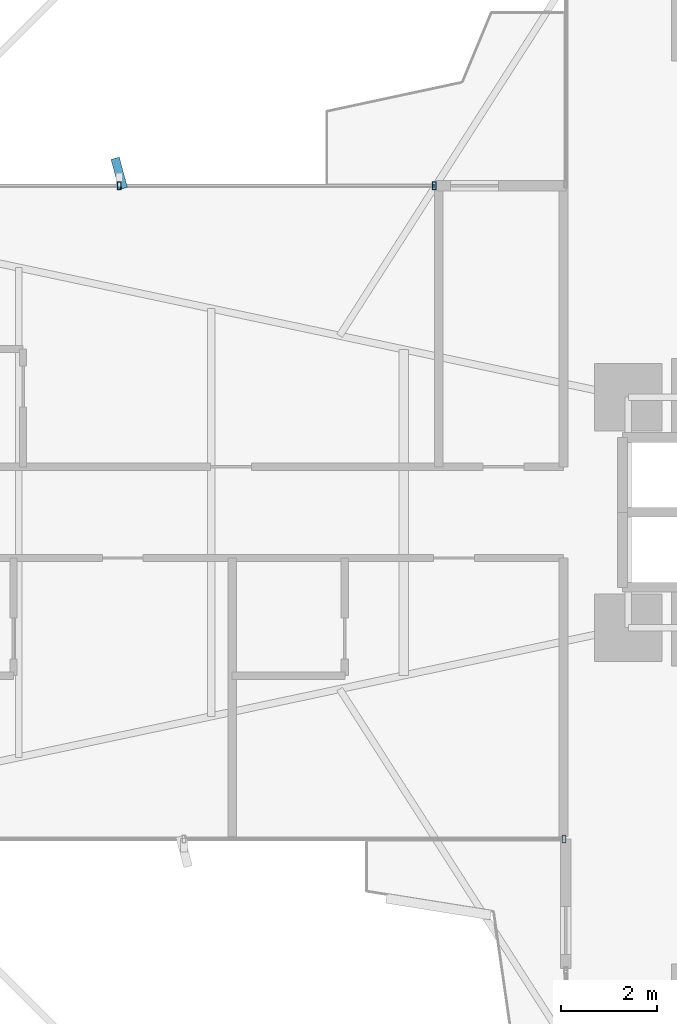
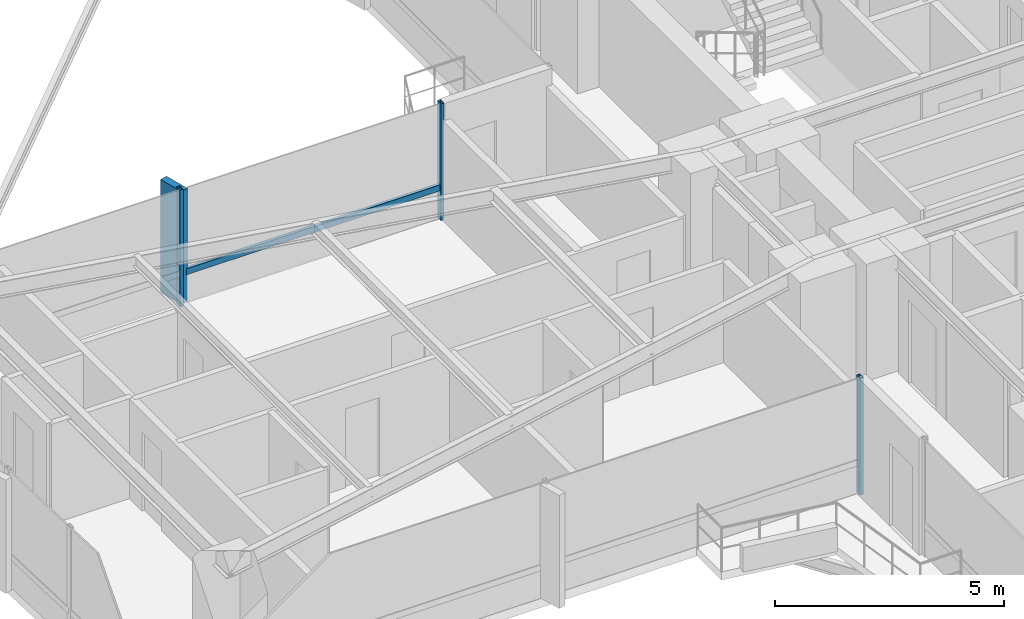
# One storey, part 10 of 25: 5 members, 2 elements without a shape of their own.
"""IFC4 building model written with IfcOpenShell, lengths in metres."""

from ifc_helpers import new_model, si_unit, direction, frame, origin, origin_2d, place, context, subcontext, project, spatial, rectangle, hollow_rectangle, extrude, source, transform, mapped, material, material_profile, profile_set, type_object, element, aggregate, save


model = new_model("IFC4")

# Units and contexts
model_context = context("Model", 3, precision=1e-05, world=origin(), true_north=direction((0.0, 1.0)))
body_context = subcontext(model_context, "Body", "Model", "MODEL_VIEW")
ifc_project = project(units=[si_unit("LENGTHUNIT", "METRE"), si_unit("AREAUNIT", "SQUARE_METRE"), si_unit("VOLUMEUNIT", "CUBIC_METRE"), si_unit("PLANEANGLEUNIT", "RADIAN"), si_unit("MASSUNIT", "GRAM", prefix="KILO")], contexts=[model_context])

# Site, building, storey
site_placement = place(None, origin())
site = spatial("IfcSite", under=ifc_project, at=site_placement, CompositionType="ELEMENT")
building_placement = place(site_placement, origin())
building = spatial("IfcBuilding", under=site, at=building_placement, Name="Sahyath Konkavel Grand Hotel", CompositionType="ELEMENT")
storey_placement = place(building_placement, frame((0.0, 0.0, 67.800048828125)))
storey = spatial("IfcBuildingStorey", under=building, at=storey_placement, Name="L18", CompositionType="ELEMENT", Elevation=67.800048828125)

# Curtain wall, members
ifc_material_1 = material(Name="Anodised Bronze Aluminium & Low-E Glazing", Category="aluminium")
curtain_wall_type = type_object("IfcCurtainWallType", Name="CW-ZONE1", PredefinedType="NOTDEFINED", material=ifc_material_1)
curtain_wall_1_placement = place(storey_placement, origin())
curtain_wall_1 = element("IfcCurtainWall", 1, at=curtain_wall_1_placement, inside=storey, type_object=curtain_wall_type, Name="L18 Unitised Curtain Wall F16", PredefinedType="NOTDEFINED")
ifc_material_2 = material(Name="Anodised Bronze Aluminium", Category="aluminium")
ifc_material_profile_1 = material_profile(ifc_material_2, hollow_rectangle(XDim=0.080078125, YDim=0.159912109375, WallThickness=0.006103515625, at=origin_2d()), Name="RHS 160x80x6")
ifc_profile_set_1 = profile_set([ifc_material_profile_1], Name="Anodised Bronze Aluminium")
member_type_1 = type_object("IfcMemberType", Name="CW-MUL-160", PredefinedType="MULLION", material=ifc_profile_set_1)
shared_shape_1 = source(origin(), body_context, "Body", "SweptSolid", [
    extrude(hollow_rectangle(XDim=0.080078125, YDim=0.159912109375, WallThickness=0.006103515625, at=origin_2d()), origin(), (0.0, 0.0, 1.0), 3.10986328125),
])
member_1_placement = place(storey_placement, frame((-9.5400390625, 6.800048828125, 0.0), z_axis=(0.0, 0.0, 1.0), x_axis=(1.0, 0.0, 0.0)))
member_1 = element("IfcMember", 2, at=member_1_placement, type_object=member_type_1, Name="L18 Curtain Wall Mullion F16-0", PredefinedType="MULLION", context=body_context, shape_type="MappedRepresentation", body=[
    mapped(shared_shape_1, transform((0.0, 0.0, 0.0), scale=1.0)),
])
member_2_placement = place(storey_placement, frame((-16.10009765625, 6.800048828125, 0.0), z_axis=(0.0, 0.0, 1.0), x_axis=(1.0, 0.0, 0.0)))
member_2 = element("IfcMember", 3, at=member_2_placement, type_object=member_type_1, Name="L18 Curtain Wall Mullion F16-1", PredefinedType="MULLION", context=body_context, shape_type="MappedRepresentation", body=[
    mapped(shared_shape_1, transform((0.0, 0.0, 0.0), scale=1.0)),
])

# Curtain wall, member
curtain_wall_2_placement = place(storey_placement, origin())
curtain_wall_2 = element("IfcCurtainWall", 4, at=curtain_wall_2_placement, inside=storey, type_object=curtain_wall_type, Name="L18 Unitised Curtain Wall F23", PredefinedType="NOTDEFINED")
member_3_placement = place(storey_placement, frame((-6.840087890625, -6.800048828125, 0.0), z_axis=(0.0, 0.0, 1.0), x_axis=(1.0, 0.0, 0.0)))
member_3 = element("IfcMember", 5, at=member_3_placement, type_object=member_type_1, Name="L18 Curtain Wall Mullion F23-2", PredefinedType="MULLION", context=body_context, shape_type="MappedRepresentation", body=[
    mapped(shared_shape_1, transform((0.0, 0.0, 0.0), scale=1.0)),
])
aggregate(curtain_wall_2, [member_3])

# Member
ifc_material_3 = material(Name="Warm Buff Sandstone Cladding on Concrete C50/60", Category="masonry")
ifc_material_profile_2 = material_profile(ifc_material_3, rectangle(XDim=0.179931640625, YDim=0.64990234375, at=origin_2d()), Name="FIN 180x650")
ifc_profile_set_2 = profile_set([ifc_material_profile_2], Name="Warm Buff Sandstone Cladding on Concrete C50/60")
member_type_2 = type_object("IfcMemberType", Name="FIN-SANDSTONE-650", PredefinedType="MULLION", material=ifc_profile_set_2)
shared_shape_2 = source(origin(), body_context, "Body", "SweptSolid", [
    extrude(rectangle(XDim=0.179931640625, YDim=0.64990234375, at=origin_2d()), origin(), (0.0, 0.0, 1.0), 3.010009765625),
])
member_4_placement = place(storey_placement, frame((-16.10009765625, 7.06005859375, 0.050048828125), z_axis=(0.0, 0.0, 1.0), x_axis=(0.965744901133, 0.259493325415, 0.0)))
member_4 = element("IfcMember", 6, at=member_4_placement, type_object=member_type_2, Name="L18 Sandstone Vertical Solar Fin FIN F16-1", PredefinedType="MULLION", context=body_context, shape_type="MappedRepresentation", body=[
    mapped(shared_shape_2, transform((0.0, 0.0, 0.0), scale=1.0)),
])

ifc_material_profile_3 = material_profile(ifc_material_2, hollow_rectangle(XDim=0.080078125, YDim=0.159912109375, WallThickness=0.006103515625, at=origin_2d()), Name="RHS 160x80x6")
ifc_profile_set_3 = profile_set([ifc_material_profile_3], Name="Anodised Bronze Aluminium")
member_type_3 = type_object("IfcMemberType", Name="CW-TRN-160", PredefinedType="USERDEFINED", material=ifc_profile_set_3)
shared_shape_3 = source(origin(), body_context, "Body", "SweptSolid", [
    extrude(hollow_rectangle(XDim=0.080078125, YDim=0.159912109375, WallThickness=0.006103515625, at=origin_2d()), origin(), (0.0, 0.0, 1.0), 6.56005859375),
])
member_5_placement = place(storey_placement, frame((-9.5400390625, 6.800048828125, 0.849853515625), z_axis=(-1.0, 0.0, 0.0), x_axis=(0.0, -1.0, 0.0)))
member_5 = element("IfcMember", 7, at=member_5_placement, type_object=member_type_3, Name="L18 Curtain Wall Transom F16-0-spandrel", ObjectType="TRANSOM", PredefinedType="USERDEFINED", context=body_context, shape_type="MappedRepresentation", body=[
    mapped(shared_shape_3, transform((0.0, 0.0, 0.0), scale=1.0)),
])

aggregate(curtain_wall_1, [member_1, member_2, member_4, member_5])

save(model, "model.ifc")
